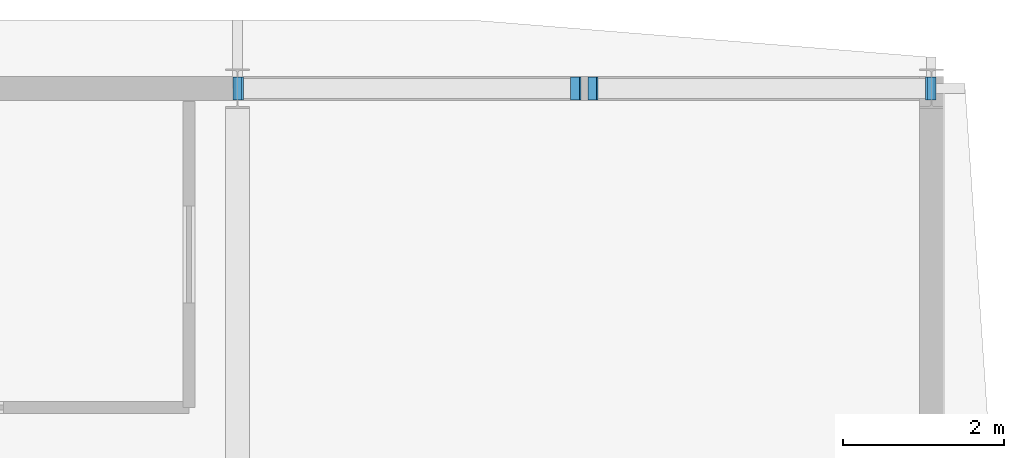
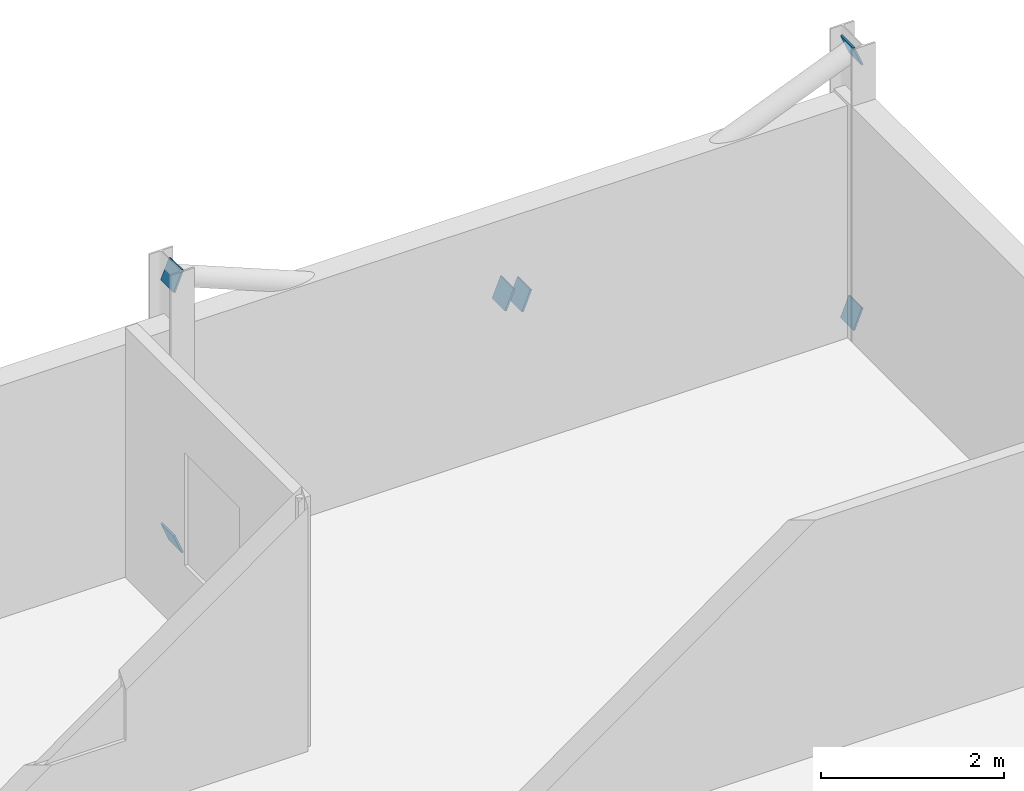
# One storey, part 38 of 49: 6 plates.
"""IFC4 building model written with IfcOpenShell, lengths in metres."""

from ifc_helpers import new_model, si_unit, direction, frame, origin, origin_2d, place, context, subcontext, project, spatial, rectangle, extrude, material, material_profile, profile_set, type_object, element, save


model = new_model("IFC4")

# Units and contexts
model_context = context("Model", 3, precision=1e-05, world=origin(), true_north=direction((0.0, 1.0)))
body_context = subcontext(model_context, "Body", "Model", "MODEL_VIEW")
ifc_project = project(units=[si_unit("LENGTHUNIT", "METRE"), si_unit("AREAUNIT", "SQUARE_METRE"), si_unit("VOLUMEUNIT", "CUBIC_METRE"), si_unit("PLANEANGLEUNIT", "RADIAN"), si_unit("MASSUNIT", "GRAM", prefix="KILO")], contexts=[model_context])

# Site, building, storey
site_placement = place(None, origin())
site = spatial("IfcSite", under=ifc_project, at=site_placement, CompositionType="ELEMENT")
building_placement = place(site_placement, origin())
building = spatial("IfcBuilding", under=site, at=building_placement, Name="Vinh Khe Railworks Police Headquarters", CompositionType="ELEMENT")
storey_placement = place(building_placement, frame((0.0, 0.0, 17.10009765625)))
storey = spatial("IfcBuildingStorey", under=building, at=storey_placement, Name="L04", CompositionType="ELEMENT", Elevation=17.10009765625)

# Plates
ifc_material = material(Name="Steel S355JR", Category="steel")
ifc_material_profile = material_profile(ifc_material, rectangle(XDim=0.283935546875, YDim=0.283935546875, at=origin_2d()), Name="PL 284x284")
ifc_profile_set = profile_set([ifc_material_profile], Name="Steel S355JR")
plate_type = type_object("IfcPlateType", Name="Steel End-Cap Plate 284x284x24", PredefinedType="SHEET", material=ifc_profile_set)
for number, where, z_axis, x_axis, name in (
    (1, (105.02001953125, 166.39990234375, 0.199951171875), (-0.926355609378, 0.0, -0.376650082934), (0.0, -1.0, 0.0), "End-Cap Gusset Plate PLT-EP-0693"),
    (2, (105.02001953125, 166.39990234375, 3.699951171875), (-0.926355609378, 0.0, 0.376650082934), (0.0, -1.0, 0.0), "End-Cap Gusset Plate PLT-EP-0694"),
    (3, (109.182373046875, 166.39990234375, 1.998046875), (0.926355609378, 0.0, -0.376650082934), (0.0, 1.0, 0.0), "End-Cap Gusset Plate PLT-EP-0704"),
    (4, (109.41748046875, 166.39990234375, 1.90185546875), (-0.926355609378, 0.0, 0.376650082934), (0.0, -1.0, 0.0), "End-Cap Gusset Plate PLT-EP-0711"),
    (5, (113.580078125, 166.39990234375, 0.199951171875), (0.926355609378, 0.0, -0.376650082934), (0.0, 1.0, 0.0), "End-Cap Gusset Plate PLT-EP-0721"),
    (6, (113.580078125, 166.39990234375, 3.699951171875), (0.926355609378, 0.0, 0.376650082934), (0.0, 1.0, 0.0), "End-Cap Gusset Plate PLT-EP-0722"),
):
    element("IfcPlate", number, at=place(storey_placement, frame(where, z_axis=z_axis, x_axis=x_axis)), inside=storey, type_object=plate_type, Name=name, PredefinedType="SHEET", context=body_context, shape_type="SweptSolid", body=[
        extrude(rectangle(XDim=0.283935546875, YDim=0.283935546875, at=origin_2d()), origin(), (0.0, 0.0, 1.0), 0.02392578125),
    ])

save(model, "model.ifc")
